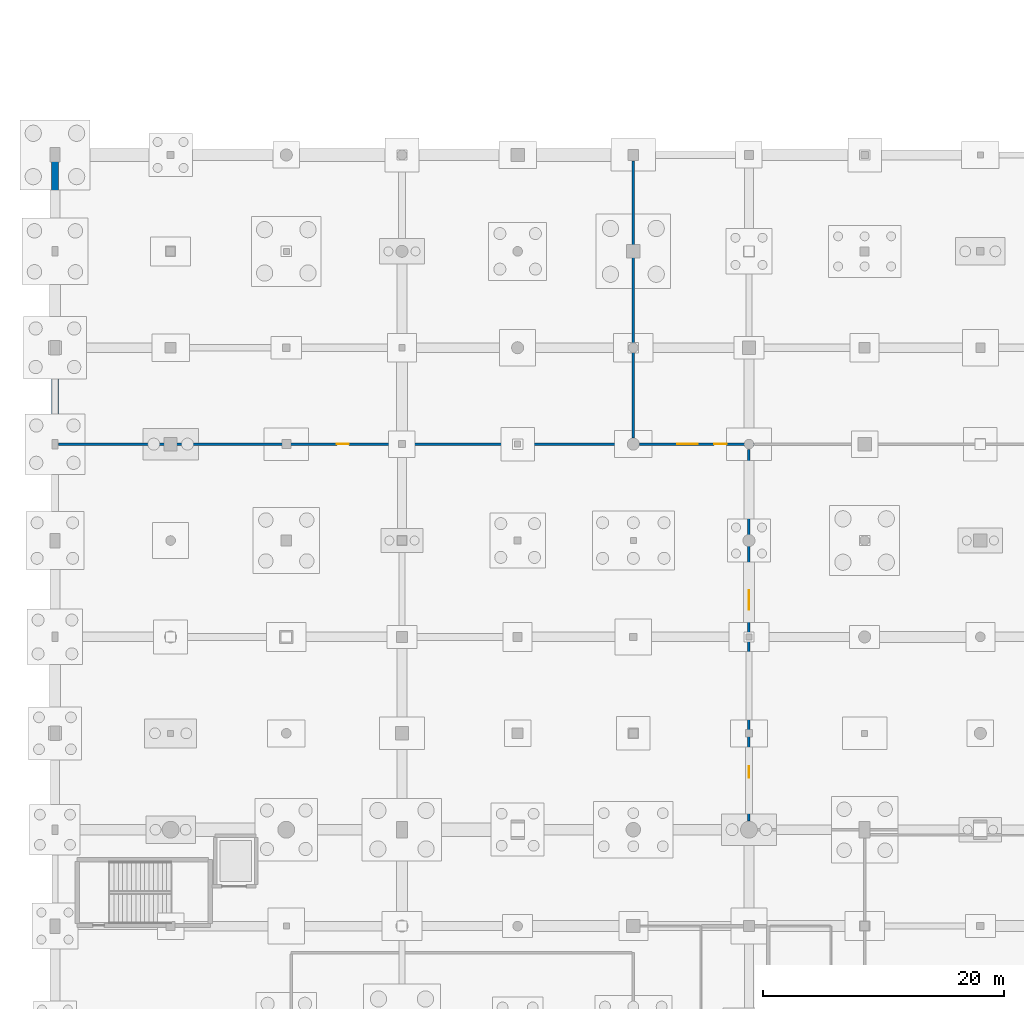
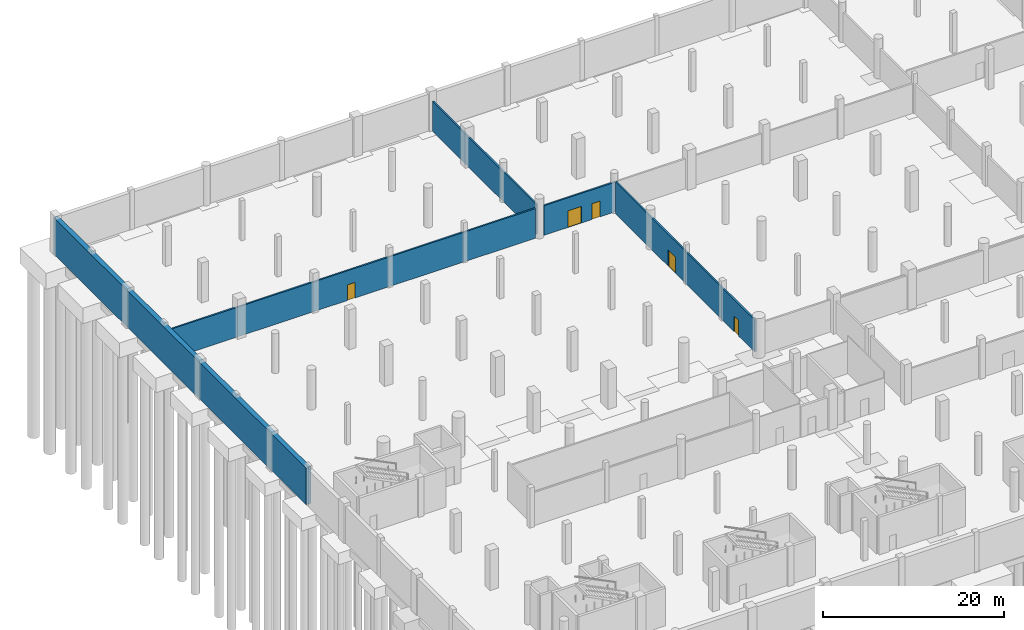
# One storey, part 22 of 44: 5 doors, 5 walls, 5 openings.
"""IFC4 building model written with IfcOpenShell, lengths in metres."""

from ifc_helpers import new_model, si_unit, direction, frame, frame_2d, origin, place, context, subcontext, project, spatial, rectangle, extrude, material, layer, layer_set, type_object, element, fill, save


model = new_model("IFC4")

# Units and contexts
model_context = context("Model", 3, precision=1e-05, world=origin(), true_north=direction((0.0, 1.0)))
body_context = subcontext(model_context, "Body", "Model", "MODEL_VIEW")
ifc_project = project(units=[si_unit("LENGTHUNIT", "METRE"), si_unit("AREAUNIT", "SQUARE_METRE"), si_unit("VOLUMEUNIT", "CUBIC_METRE"), si_unit("PLANEANGLEUNIT", "RADIAN"), si_unit("MASSUNIT", "GRAM", prefix="KILO")], contexts=[model_context])

# Site, building, storey
site_placement = place(None, origin())
site = spatial("IfcSite", under=ifc_project, at=site_placement, CompositionType="ELEMENT")
building_placement = place(site_placement, origin())
building = spatial("IfcBuilding", under=site, at=building_placement, Name="Danafjord Basin Convention Centre", CompositionType="ELEMENT")
storey_placement = place(building_placement, frame((0.0, 0.0, -5.39990234375)))
storey = spatial("IfcBuildingStorey", under=building, at=storey_placement, Name="B1", CompositionType="ELEMENT", Elevation=-5.39990234375)

# Wall
ifc_material_1 = material(Name="Concrete C40/50", Category="concrete")
ifc_layer_1 = layer(ifc_material_1, 0.60009765625)
ifc_layer_set_1 = layer_set([ifc_layer_1], Name="Concrete C40/50")
wall_type_1 = type_object("IfcWallType", Name="WALL-EW-RET600", PredefinedType="SHEAR", material=ifc_layer_set_1)
wall_1_placement = place(storey_placement, frame((0.0, 56.0, 0.0), z_axis=(0.0, 0.0, 1.0), x_axis=(0.0, 1.0, 0.0)))
element("IfcWall", 1, at=wall_1_placement, inside=storey, type_object=wall_type_1, Name="B1 waterproofed basement retaining wall 29", PredefinedType="SHEAR", context=body_context, shape_type="SweptSolid", body=[
    extrude(rectangle(XDim=56.0, YDim=0.60009765625, at=frame_2d((28.0, 0.0))), origin(), (0.0, 0.0, 1.0), 4.949951171875),
])

# Wall, openings, doors
ifc_material_2 = material(Name="Concrete C35/45", Category="concrete")
ifc_layer_2 = layer(ifc_material_2, 0.205078125)
ifc_layer_set_2 = layer_set([ifc_layer_2], Name="Concrete C35/45")
wall_type_2 = type_object("IfcWallType", Name="WALL-W-COMP205", PredefinedType="SOLIDWALL", material=ifc_layer_set_2)
wall_2_placement = place(storey_placement, frame((57.60009765625, 87.56005859375, 0.0), z_axis=(0.0, 0.0, 1.0), x_axis=(0.0, -1.0, 0.0)))
wall_2 = element("IfcWall", 2, at=wall_2_placement, inside=storey, type_object=wall_type_2, Name="North-West Modular Crate and Carpet Depot west partition", PredefinedType="SOLIDWALL", context=body_context, shape_type="SweptSolid", body=[
    extrude(rectangle(XDim=30.840087890625, YDim=0.205078125, at=frame_2d((15.419921875, 0.0))), origin(), (0.0, 0.0, 1.0), 4.31982421875),
])
opening_1_placement = place(wall_2_placement, frame((11.679931640625, 0.0, 0.0)))
opening_1 = element("IfcOpeningElement", 3, at=opening_1_placement, cuts=wall_2, Name="Opening FD-D02", PredefinedType="OPENING", context=body_context, shape_type="SweptSolid", body=[
    extrude(rectangle(XDim=1.639892578125, YDim=2.199951171875, at=frame_2d((0.81982421875, 1.10009765625))), frame((0.0, 0.112548828125, 0.0), z_axis=(0.0, -1.0, 0.0), x_axis=(1.0, 0.0, 0.0)), (0.0, 0.0, 1.0), 0.22509765625),
])
opening_2_placement = place(wall_2_placement, frame((26.285888671875, 0.0, 0.0)))
opening_2 = element("IfcOpeningElement", 4, at=opening_2_placement, cuts=wall_2, Name="Opening FD-S03", PredefinedType="OPENING", context=body_context, shape_type="SweptSolid", body=[
    extrude(rectangle(XDim=0.969970703125, YDim=2.10009765625, at=frame_2d((0.48486328125, 1.050048828125))), frame((0.0, 0.112548828125, 0.0), z_axis=(0.0, -1.0, 0.0), x_axis=(1.0, 0.0, 0.0)), (0.0, 0.0, 1.0), 0.22509765625),
])
ifc_material_3 = material(Name="Brushed stainless steel and acoustic laminated glass", Category="steel")
door_type_1 = type_object("IfcDoorType", Name="DOOR-FD-D02", OperationType="DOUBLE_DOOR_SINGLE_SWING", PredefinedType="DOOR", material=ifc_material_3)
door_1_placement = place(opening_1_placement, origin())
door_1 = element("IfcDoor", 5, at=door_1_placement, inside=storey, type_object=door_type_1, Name="North-West Modular Crate and Carpet Depot Entrance Door", OperationType="DOUBLE_DOOR_SINGLE_SWING", OverallHeight=2.199951171875, OverallWidth=1.639892578125, PredefinedType="DOOR", context=body_context, shape_type="SweptSolid", body=[
    extrude(rectangle(XDim=1.639892578125, YDim=2.199951171875, at=frame_2d((0.81982421875, 1.10009765625))), frame((0.0, 0.02490234375, 0.0), z_axis=(0.0, -1.0, 0.0), x_axis=(1.0, 0.0, 0.0)), (0.0, 0.0, 1.0), 0.050048828125),
])
fill(opening_1, door_1)
ifc_material_4 = material(Name="Powder-coated steel and Nordic oak", Category="steel")
door_type_2 = type_object("IfcDoorType", Name="DOOR-FD-S03", OperationType="NOTDEFINED", PredefinedType="DOOR", material=ifc_material_4)
door_2_placement = place(opening_2_placement, origin())
door_2 = element("IfcDoor", 6, at=door_2_placement, inside=storey, type_object=door_type_2, Name="North-West Modular Crate and Carpet Depot Secondary Exit Door", OperationType="SINGLE_SWING_RIGHT", OverallHeight=2.10009765625, OverallWidth=0.969970703125, PredefinedType="DOOR", context=body_context, shape_type="SweptSolid", body=[
    extrude(rectangle(XDim=0.969970703125, YDim=2.10009765625, at=frame_2d((0.48486328125, 1.050048828125))), frame((0.0, 0.02490234375, 0.0), z_axis=(0.0, -1.0, 0.0), x_axis=(1.0, 0.0, 0.0)), (0.0, 0.0, 1.0), 0.050048828125),
])
fill(opening_2, door_2)

# Wall, opening, door
wall_3_placement = place(storey_placement, frame((0.303955078125, 88.0, 0.0), z_axis=(0.0, 0.0, 1.0), x_axis=(1.0, 0.0, 0.0)))
wall_3 = element("IfcWall", 7, at=wall_3_placement, inside=storey, type_object=wall_type_2, Name="Harbour Seawater Heat-Pump Plant south partition", PredefinedType="SOLIDWALL", context=body_context, shape_type="SweptSolid", body=[
    extrude(rectangle(XDim=47.176025390625, YDim=0.205078125, at=frame_2d((23.587890625, 0.0))), origin(), (0.0, 0.0, 1.0), 4.02001953125),
])
opening_3_placement = place(wall_3_placement, frame((23.087890625, 0.0, 0.0)))
opening_3 = element("IfcOpeningElement", 8, at=opening_3_placement, cuts=wall_3, Name="Opening FD-S04", PredefinedType="OPENING", context=body_context, shape_type="SweptSolid", body=[
    extrude(rectangle(XDim=1.0, YDim=2.1201171875, at=frame_2d((0.5, 1.06005859375))), frame((0.0, 0.112548828125, 0.0), z_axis=(0.0, -1.0, 0.0), x_axis=(1.0, 0.0, 0.0)), (0.0, 0.0, 1.0), 0.22509765625),
])
door_type_3 = type_object("IfcDoorType", Name="DOOR-FD-S04", OperationType="NOTDEFINED", PredefinedType="DOOR", material=ifc_material_4)
door_3_placement = place(opening_3_placement, origin())
door_3 = element("IfcDoor", 9, at=door_3_placement, inside=storey, type_object=door_type_3, Name="Harbour Seawater Heat-Pump Plant Entrance Door", OperationType="SINGLE_SWING_LEFT", OverallHeight=2.1201171875, OverallWidth=1.0, PredefinedType="DOOR", context=body_context, shape_type="SweptSolid", body=[
    extrude(rectangle(XDim=1.0, YDim=2.1201171875, at=frame_2d((0.5, 1.06005859375))), frame((0.0, 0.02490234375, 0.0), z_axis=(0.0, -1.0, 0.0), x_axis=(1.0, 0.0, 0.0)), (0.0, 0.0, 1.0), 0.050048828125),
])
fill(opening_3, door_3)

# Wall
wall_4_placement = place(storey_placement, frame((48.0, 88.52001953125, 0.0), z_axis=(0.0, 0.0, 1.0), x_axis=(0.0, 1.0, 0.0)))
element("IfcWall", 10, at=wall_4_placement, inside=storey, type_object=wall_type_2, Name="Harbour Seawater Heat-Pump Plant east partition", PredefinedType="SOLIDWALL", context=body_context, shape_type="SweptSolid", body=[
    extrude(rectangle(XDim=22.986083984375, YDim=0.205078125, at=frame_2d((11.4931640625, 0.0))), origin(), (0.0, 0.0, 1.0), 4.0498046875),
])

# Wall, openings, doors
wall_5_placement = place(storey_placement, frame((48.52001953125, 88.0, 0.0), z_axis=(0.0, 0.0, 1.0), x_axis=(1.0, 0.0, 0.0)))
wall_5 = element("IfcWall", 11, at=wall_5_placement, inside=storey, type_object=wall_type_2, Name="Acoustic Partition and Rigging Crate Store south partition", PredefinedType="SOLIDWALL", context=body_context, shape_type="SweptSolid", body=[
    extrude(rectangle(XDim=9.511962890625, YDim=0.205078125, at=frame_2d((4.755859375, 0.0))), origin(), (0.0, 0.0, 1.0), 4.02001953125),
])
opening_4_placement = place(wall_5_placement, frame((3.116943359375, 0.0, 0.0)))
opening_4 = element("IfcOpeningElement", 12, at=opening_4_placement, cuts=wall_5, Name="Opening FD-D03", PredefinedType="OPENING", context=body_context, shape_type="SweptSolid", body=[
    extrude(rectangle(XDim=1.719970703125, YDim=2.239990234375, at=frame_2d((0.85986328125, 1.1201171875))), frame((0.0, 0.112548828125, 0.0), z_axis=(0.0, -1.0, 0.0), x_axis=(1.0, 0.0, 0.0)), (0.0, 0.0, 1.0), 0.22509765625),
])
opening_5_placement = place(wall_5_placement, frame((6.19189453125, 0.0, 0.0)))
opening_5 = element("IfcOpeningElement", 13, at=opening_5_placement, cuts=wall_5, Name="Opening FD-S05", PredefinedType="OPENING", context=body_context, shape_type="SweptSolid", body=[
    extrude(rectangle(XDim=1.030029296875, YDim=2.139892578125, at=frame_2d((0.51513671875, 1.06982421875))), frame((0.0, 0.112548828125, 0.0), z_axis=(0.0, -1.0, 0.0), x_axis=(1.0, 0.0, 0.0)), (0.0, 0.0, 1.0), 0.22509765625),
])
door_type_4 = type_object("IfcDoorType", Name="DOOR-FD-D03", OperationType="DOUBLE_DOOR_SINGLE_SWING", PredefinedType="DOOR", material=ifc_material_3)
door_4_placement = place(opening_4_placement, origin())
door_4 = element("IfcDoor", 14, at=door_4_placement, inside=storey, type_object=door_type_4, Name="Acoustic Partition and Rigging Crate Store Entrance Door", OperationType="DOUBLE_DOOR_SINGLE_SWING", OverallHeight=2.239990234375, OverallWidth=1.719970703125, PredefinedType="DOOR", context=body_context, shape_type="SweptSolid", body=[
    extrude(rectangle(XDim=1.719970703125, YDim=2.239990234375, at=frame_2d((0.85986328125, 1.1201171875))), frame((0.0, 0.02490234375, 0.0), z_axis=(0.0, -1.0, 0.0), x_axis=(1.0, 0.0, 0.0)), (0.0, 0.0, 1.0), 0.050048828125),
])
fill(opening_4, door_4)
door_type_5 = type_object("IfcDoorType", Name="DOOR-FD-S05", OperationType="NOTDEFINED", PredefinedType="DOOR", material=ifc_material_4)
door_5_placement = place(opening_5_placement, origin())
door_5 = element("IfcDoor", 15, at=door_5_placement, inside=storey, type_object=door_type_5, Name="Acoustic Partition and Rigging Crate Store Secondary Exit Door", OperationType="SINGLE_SWING_RIGHT", OverallHeight=2.139892578125, OverallWidth=1.030029296875, PredefinedType="DOOR", context=body_context, shape_type="SweptSolid", body=[
    extrude(rectangle(XDim=1.030029296875, YDim=2.139892578125, at=frame_2d((0.51513671875, 1.06982421875))), frame((0.0, 0.02490234375, 0.0), z_axis=(0.0, -1.0, 0.0), x_axis=(1.0, 0.0, 0.0)), (0.0, 0.0, 1.0), 0.050048828125),
])
fill(opening_5, door_5)

save(model, "model.ifc")
